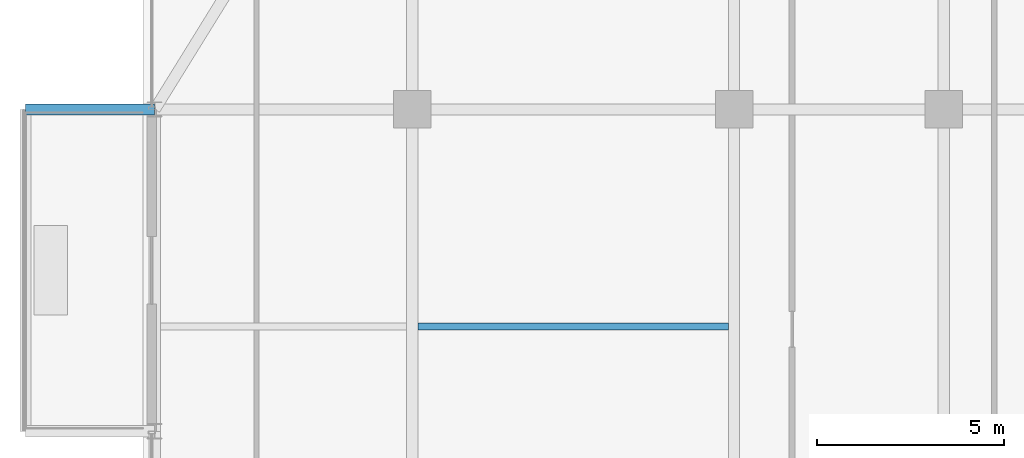
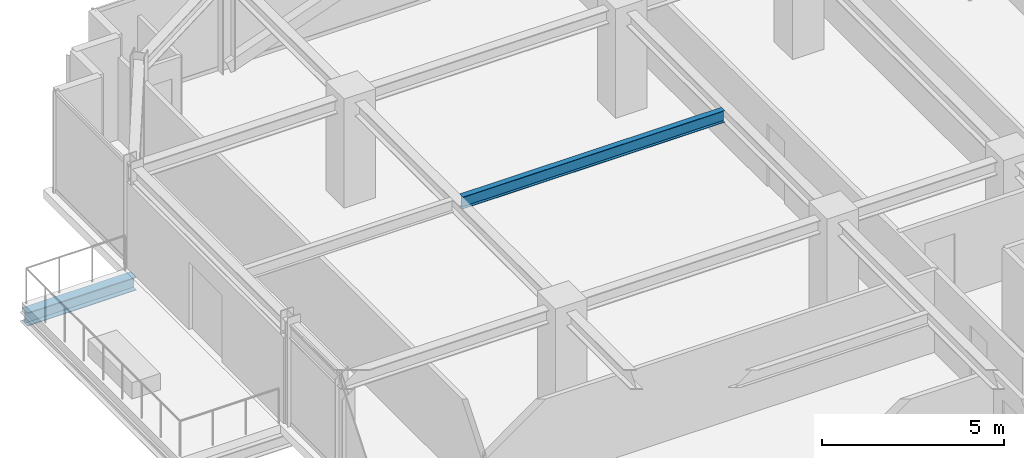
# One storey, part 19 of 41: 2 beams.
"""IFC4 building model written with IfcOpenShell, lengths in metres."""

from ifc_helpers import new_model, si_unit, direction, frame, origin, origin_2d, place, context, subcontext, project, spatial, i_section, extrude, source, transform, mapped, material, material_profile, profile_set, type_object, element, save


model = new_model("IFC4")

# Units and contexts
model_context = context("Model", 3, precision=1e-05, world=origin(), true_north=direction((0.0, 1.0)))
body_context = subcontext(model_context, "Body", "Model", "MODEL_VIEW")
ifc_project = project(units=[si_unit("LENGTHUNIT", "METRE"), si_unit("AREAUNIT", "SQUARE_METRE"), si_unit("VOLUMEUNIT", "CUBIC_METRE"), si_unit("PLANEANGLEUNIT", "RADIAN"), si_unit("MASSUNIT", "GRAM", prefix="KILO")], contexts=[model_context])

# Site, building, storey
site_placement = place(None, origin())
site = spatial("IfcSite", under=ifc_project, at=site_placement, CompositionType="ELEMENT")
building_placement = place(site_placement, origin())
building = spatial("IfcBuilding", under=site, at=building_placement, Name="Nahalor Promenade Grand Hotel", CompositionType="ELEMENT")
storey_placement = place(building_placement, frame((0.0, 0.0, 227.10009765625)))
storey = spatial("IfcBuildingStorey", under=building, at=storey_placement, Name="L58", CompositionType="ELEMENT", Elevation=227.10009765625)

# Beams
ifc_material = material(Name="Steel S355JR", Category="steel")
ifc_material_profile_1 = material_profile(ifc_material, i_section(OverallWidth=0.3, OverallDepth=0.45, WebThickness=0.014, FlangeThickness=0.026, at=origin_2d()), Name="HEB 450")
ifc_profile_set_1 = profile_set([ifc_material_profile_1], Name="Steel S355JR")
beam_type_1 = type_object("IfcBeamType", Name="Beam-Outrigger-HEB450", PredefinedType="BEAM", material=ifc_profile_set_1)
shared_shape_1 = source(origin(), body_context, "Body", "SweptSolid", [
    extrude(i_section(OverallWidth=0.3, OverallDepth=0.45, WebThickness=0.014, FlangeThickness=0.026, at=origin_2d()), origin(), (0.0, 0.0, 1.0), 3.4501953125),
])
beam_1_placement = place(storey_placement, frame((-27.330078125, 17.0, -0.505126953125), z_axis=(1.0, 0.0, 0.0), x_axis=(0.0, 1.0, 0.0)))
element("IfcBeam", 1, at=beam_1_placement, inside=storey, type_object=beam_type_1, Name="BM-L58-BC-02-2", PredefinedType="BEAM", context=body_context, shape_type="MappedRepresentation", body=[
    mapped(shared_shape_1, transform((0.0, 0.0, 0.0), scale=1.0)),
])
ifc_material_profile_2 = material_profile(ifc_material, i_section(OverallWidth=0.18, OverallDepth=0.4, WebThickness=0.0086, FlangeThickness=0.0135, at=origin_2d()), Name="IPE 400")
ifc_profile_set_2 = profile_set([ifc_material_profile_2], Name="Steel S355JR")
beam_type_2 = type_object("IfcBeamType", Name="Beam-Joist-IPE400", PredefinedType="JOIST", material=ifc_profile_set_2)
shared_shape_2 = source(origin(), body_context, "Body", "SweptSolid", [
    extrude(i_section(OverallWidth=0.18, OverallDepth=0.4, WebThickness=0.0086, FlangeThickness=0.0135, at=origin_2d()), origin(), (0.0, 0.0, 1.0), 8.300048828125),
])
beam_2_placement = place(storey_placement, frame((-16.85009765625, 11.199951171875, 3.2099609375), z_axis=(1.0, 0.0, 0.0), x_axis=(0.0, 1.0, 0.0)))
element("IfcBeam", 2, at=beam_2_placement, inside=storey, type_object=beam_type_2, Name="BM-L58-JSW-1-1", PredefinedType="JOIST", context=body_context, shape_type="MappedRepresentation", body=[
    mapped(shared_shape_2, transform((0.0, 0.0, 0.0), scale=1.0)),
])

save(model, "model.ifc")
